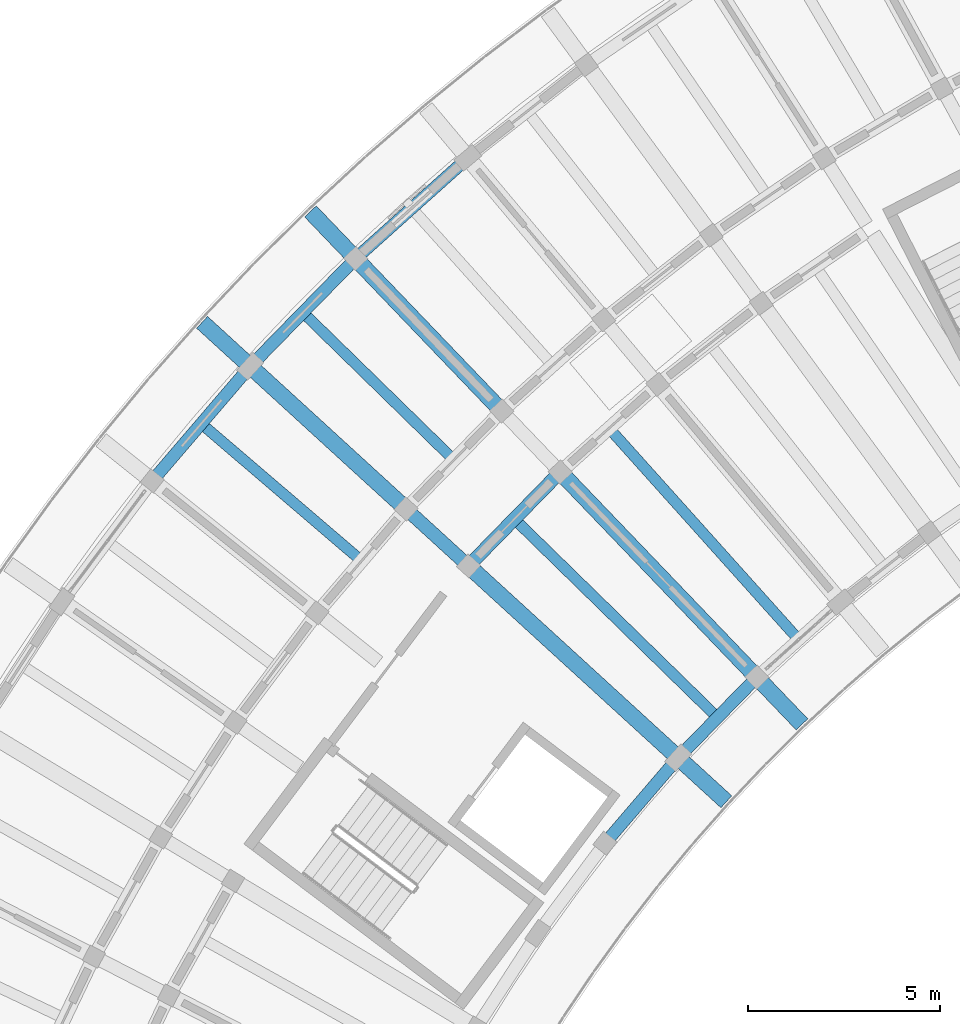
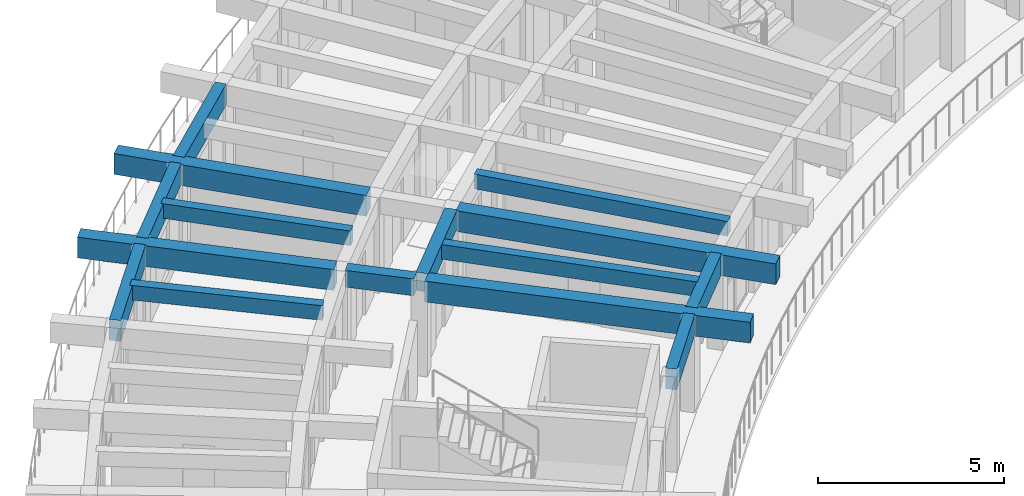
# One storey, part 4 of 32: 15 beams.
"""IFC4 building model written with IfcOpenShell, lengths in metres."""

from ifc_helpers import new_model, si_unit, direction, frame, origin, origin_2d, place, context, subcontext, project, spatial, rectangle, extrude, material, material_profile, profile_set, type_object, element, save


model = new_model("IFC4")

# Units and contexts
model_context = context("Model", 3, precision=1e-05, world=origin(), true_north=direction((0.0, 1.0)))
body_context = subcontext(model_context, "Body", "Model", "MODEL_VIEW")
ifc_project = project(units=[si_unit("LENGTHUNIT", "METRE"), si_unit("AREAUNIT", "SQUARE_METRE"), si_unit("VOLUMEUNIT", "CUBIC_METRE"), si_unit("PLANEANGLEUNIT", "RADIAN"), si_unit("MASSUNIT", "GRAM", prefix="KILO")], contexts=[model_context])

# Site, building, storey
site_placement = place(None, origin())
site = spatial("IfcSite", under=ifc_project, at=site_placement, CompositionType="ELEMENT")
building_placement = place(site_placement, origin())
building = spatial("IfcBuilding", under=site, at=building_placement, Name="Tanwirah Colonnade Gardens", CompositionType="ELEMENT")
storey_placement = place(building_placement, frame((0.0, 0.0, 42.43994140625)))
storey = spatial("IfcBuildingStorey", under=building, at=storey_placement, Name="L12", CompositionType="ELEMENT", Elevation=42.43994140625)

# Beams
ifc_material_1 = material(Name="Precast concrete C40/50", Category="concrete")
ifc_material_profile_1 = material_profile(ifc_material_1, rectangle(XDim=0.35009765625, YDim=0.550048828125, at=origin_2d()), Name="PC-BM 350x550")
ifc_profile_set_1 = profile_set([ifc_material_profile_1], Name="Precast concrete C40/50")
beam_type_1 = type_object("IfcBeamType", Name="BM-PC350A", PredefinedType="BEAM", material=ifc_profile_set_1)
beam_1_placement = place(storey_placement, frame((26.62744140625, 95.29345703125, 2.844970703125), z_axis=(-0.737948361517, 0.674857181732, 0.0), x_axis=(-0.674857181732, -0.737948361517, 0.0)))
element("IfcBeam", 1, at=beam_1_placement, inside=storey, type_object=beam_type_1, Name="Block A L12 Corridor Tie Beam 11", PredefinedType="BEAM", context=body_context, shape_type="SweptSolid", body=[
    extrude(rectangle(XDim=0.35009765625, YDim=0.550048828125, at=origin_2d()), origin(), (0.0, 0.0, 1.0), 1.89990234375),
])
ifc_material_profile_2 = material_profile(ifc_material_1, rectangle(XDim=0.35009765625, YDim=0.60009765625, at=origin_2d()), Name="PC-BM 350x600")
ifc_profile_set_2 = profile_set([ifc_material_profile_2], Name="Precast concrete C40/50")
beam_type_2 = type_object("IfcBeamType", Name="BM-PC350B", PredefinedType="BEAM", material=ifc_profile_set_2)
beam_2_placement = place(storey_placement, frame((29.02197265625, 97.52978515625, 2.820068359375), z_axis=(-0.698837366631, -0.715280598787, 0.0), x_axis=(0.715280598787, -0.698837366631, 0.0)))
element("IfcBeam", 2, at=beam_2_placement, inside=storey, type_object=beam_type_2, Name="Block A L12 Circumferential Beam 10-R1", PredefinedType="BEAM", context=body_context, shape_type="SweptSolid", body=[
    extrude(rectangle(XDim=0.35009765625, YDim=0.60009765625, at=origin_2d()), origin(), (0.0, 0.0, 1.0), 3.117919921875),
])
ifc_material_2 = material(Name="Precast concrete C45/55", Category="concrete")
ifc_material_profile_3 = material_profile(ifc_material_2, rectangle(XDim=0.419921875, YDim=0.679931640625, at=origin_2d()), Name="PC-BM 420x680")
ifc_profile_set_3 = profile_set([ifc_material_profile_3], Name="Precast concrete C45/55")
beam_type_3 = type_object("IfcBeamType", Name="BM-PC420", PredefinedType="BEAM", material=ifc_profile_set_3)
beam_3_placement = place(storey_placement, frame((29.230712890625, 97.52880859375, 2.780029296875), z_axis=(0.691860926595, -0.722030787606, 0.0), x_axis=(0.722030787606, 0.691860926595, 0.0)))
element("IfcBeam", 3, at=beam_3_placement, inside=storey, type_object=beam_type_3, Name="Block A L12 Inner Radial Precast Girder 10", PredefinedType="BEAM", context=body_context, shape_type="SweptSolid", body=[
    extrude(rectangle(XDim=0.419921875, YDim=0.679931640625, at=origin_2d()), origin(), (0.0, 0.0, 1.0), 8.949951171875),
])
beam_4_placement = place(storey_placement, frame((27.5009765625, 99.333984375, 2.780029296875), z_axis=(-0.691864746793, 0.722027127015, 0.0), x_axis=(-0.722027127015, -0.691864746793, 0.0)))
element("IfcBeam", 4, at=beam_4_placement, inside=storey, type_object=beam_type_3, Name="Block A L12 Outer Radial Precast Girder 10", PredefinedType="BEAM", context=body_context, shape_type="SweptSolid", body=[
    extrude(rectangle(XDim=0.419921875, YDim=0.679931640625, at=origin_2d()), origin(), (0.0, 0.0, 1.0), 7.050048828125),
])
beam_5_placement = place(storey_placement, frame((26.848876953125, 95.091064453125, 2.780029296875), z_axis=(0.737937205818, -0.674869380154, 0.0), x_axis=(0.674869380154, 0.737937205818, 0.0)))
element("IfcBeam", 5, at=beam_5_placement, inside=storey, type_object=beam_type_3, Name="Block A L12 Inner Radial Precast Girder 11", PredefinedType="BEAM", context=body_context, shape_type="SweptSolid", body=[
    extrude(rectangle(XDim=0.419921875, YDim=0.679931640625, at=origin_2d()), origin(), (0.0, 0.0, 1.0), 8.949951171875),
])
beam_6_placement = place(storey_placement, frame((25.004150390625, 96.7783203125, 2.780029296875), z_axis=(-0.737934199263, 0.674872667663, 0.0), x_axis=(-0.674872667663, -0.737934199263, 0.0)))
element("IfcBeam", 6, at=beam_6_placement, inside=storey, type_object=beam_type_3, Name="Block A L12 Outer Radial Precast Girder 11", PredefinedType="BEAM", context=body_context, shape_type="SweptSolid", body=[
    extrude(rectangle(XDim=0.419921875, YDim=0.679931640625, at=origin_2d()), origin(), (0.0, 0.0, 1.0), 7.050048828125),
])
ifc_material_profile_4 = material_profile(ifc_material_1, rectangle(XDim=0.280029296875, YDim=0.47998046875, at=origin_2d()), Name="PC-JST 280x480")
ifc_profile_set_4 = profile_set([ifc_material_profile_4], Name="Precast concrete C40/50")
beam_type_4 = type_object("IfcBeamType", Name="JST-PC280", PredefinedType="JOIST", material=ifc_profile_set_4)
beam_7_placement = place(storey_placement, frame((35.2412109375, 93.379638671875, 2.880126953125), z_axis=(-0.667688404274, 0.744440860511, 0.0), x_axis=(-0.744440860511, -0.667688404274, 0.0)))
element("IfcBeam", 7, at=beam_7_placement, inside=storey, type_object=beam_type_4, Name="Block A L12 Inner Precast Floor Joist 9", PredefinedType="JOIST", context=body_context, shape_type="SweptSolid", body=[
    extrude(rectangle(XDim=0.280029296875, YDim=0.47998046875, at=origin_2d()), origin(), (0.0, 0.0, 1.0), 7.16015625),
])
beam_8_placement = place(storey_placement, frame((26.2529296875, 98.0556640625, 2.880126953125), z_axis=(-0.715297399369, 0.698820170327, 0.0), x_axis=(-0.698820170327, -0.715297399369, 0.0)))
element("IfcBeam", 8, at=beam_8_placement, inside=storey, type_object=beam_type_4, Name="Block A L12 Precast Floor Joist 10", PredefinedType="JOIST", context=body_context, shape_type="SweptSolid", body=[
    extrude(rectangle(XDim=0.280029296875, YDim=0.47998046875, at=origin_2d()), origin(), (0.0, 0.0, 1.0), 5.260009765625),
])
beam_9_placement = place(storey_placement, frame((33.11962890625, 91.346923828125, 2.880126953125), z_axis=(-0.715276680509, 0.698841377081, 0.0), x_axis=(-0.698841377081, -0.715276680509, 0.0)))
element("IfcBeam", 9, at=beam_9_placement, inside=storey, type_object=beam_type_4, Name="Block A L12 Inner Precast Floor Joist 10", PredefinedType="JOIST", context=body_context, shape_type="SweptSolid", body=[
    extrude(rectangle(XDim=0.280029296875, YDim=0.47998046875, at=origin_2d()), origin(), (0.0, 0.0, 1.0), 7.159912109375),
])
beam_10_placement = place(storey_placement, frame((23.843017578125, 95.42041015625, 2.880126953125), z_axis=(-0.759770723643, 0.65019108537, 0.0), x_axis=(-0.65019108537, -0.759770723643, 0.0)))
element("IfcBeam", 10, at=beam_10_placement, inside=storey, type_object=beam_type_4, Name="Block A L12 Precast Floor Joist 11", PredefinedType="JOIST", context=body_context, shape_type="SweptSolid", body=[
    extrude(rectangle(XDim=0.280029296875, YDim=0.47998046875, at=origin_2d()), origin(), (0.0, 0.0, 1.0), 5.26025390625),
])
ifc_material_profile_5 = material_profile(ifc_material_2, rectangle(XDim=0.320068359375, YDim=0.679931640625, at=origin_2d()), Name="PC-SP 320x680")
ifc_profile_set_5 = profile_set([ifc_material_profile_5], Name="Precast concrete C45/55")
beam_type_5 = type_object("IfcBeamType", Name="SP-PC320", PredefinedType="SPANDREL", material=ifc_profile_set_5)
beam_11_placement = place(storey_placement, frame((26.6103515625, 105.7177734375, 2.780029296875), z_axis=(-0.744444790955, -0.667684021989, 0.0), x_axis=(0.667684021989, -0.744444790955, 0.0)))
element("IfcBeam", 11, at=beam_11_placement, inside=storey, type_object=beam_type_5, Name="Block A L12 Circumferential Beam 9-R3", PredefinedType="SPANDREL", context=body_context, shape_type="SweptSolid", body=[
    extrude(rectangle(XDim=0.320068359375, YDim=0.679931640625, at=origin_2d()), origin(), (0.0, 0.0, 1.0), 3.625732421875),
])
beam_12_placement = place(storey_placement, frame((34.141845703125, 92.186767578125, 2.780029296875), z_axis=(-0.698844462704, -0.715273665772, 0.0), x_axis=(0.715273665772, -0.698844462704, 0.0)))
element("IfcBeam", 12, at=beam_12_placement, inside=storey, type_object=beam_type_5, Name="Block A L12 Circumferential Beam 10-R0", PredefinedType="SPANDREL", context=body_context, shape_type="SweptSolid", body=[
    extrude(rectangle(XDim=0.320068359375, YDim=0.679931640625, at=origin_2d()), origin(), (0.0, 0.0, 1.0), 2.630126953125),
])
beam_13_placement = place(storey_placement, frame((23.69482421875, 103.089599609375, 2.780029296875), z_axis=(-0.698844493997, -0.715273635199, 0.0), x_axis=(0.715273635199, -0.698844493997, 0.0)))
element("IfcBeam", 13, at=beam_13_placement, inside=storey, type_object=beam_type_5, Name="Block A L12 Circumferential Beam 10-R3", PredefinedType="SPANDREL", context=body_context, shape_type="SweptSolid", body=[
    extrude(rectangle(XDim=0.320068359375, YDim=0.679931640625, at=origin_2d()), origin(), (0.0, 0.0, 1.0), 3.6259765625),
])
beam_14_placement = place(storey_placement, frame((32.101318359375, 90.084228515625, 2.780029296875), z_axis=(-0.650172023628, -0.759787035749, 0.0), x_axis=(0.759787035749, -0.650172023628, 0.0)))
element("IfcBeam", 14, at=beam_14_placement, inside=storey, type_object=beam_type_5, Name="Block A L12 Circumferential Beam 11-R0", PredefinedType="SPANDREL", context=body_context, shape_type="SweptSolid", body=[
    extrude(rectangle(XDim=0.320068359375, YDim=0.679931640625, at=origin_2d()), origin(), (0.0, 0.0, 1.0), 2.63037109375),
])
beam_15_placement = place(storey_placement, frame((20.95849609375, 100.27490234375, 2.780029296875), z_axis=(-0.65013123267, -0.75982193987, 0.0), x_axis=(0.75982193987, -0.65013123267, 0.0)))
element("IfcBeam", 15, at=beam_15_placement, inside=storey, type_object=beam_type_5, Name="Block A L12 Circumferential Beam 11-R3", PredefinedType="SPANDREL", context=body_context, shape_type="SweptSolid", body=[
    extrude(rectangle(XDim=0.320068359375, YDim=0.679931640625, at=origin_2d()), origin(), (0.0, 0.0, 1.0), 3.625732421875),
])

save(model, "model.ifc")
